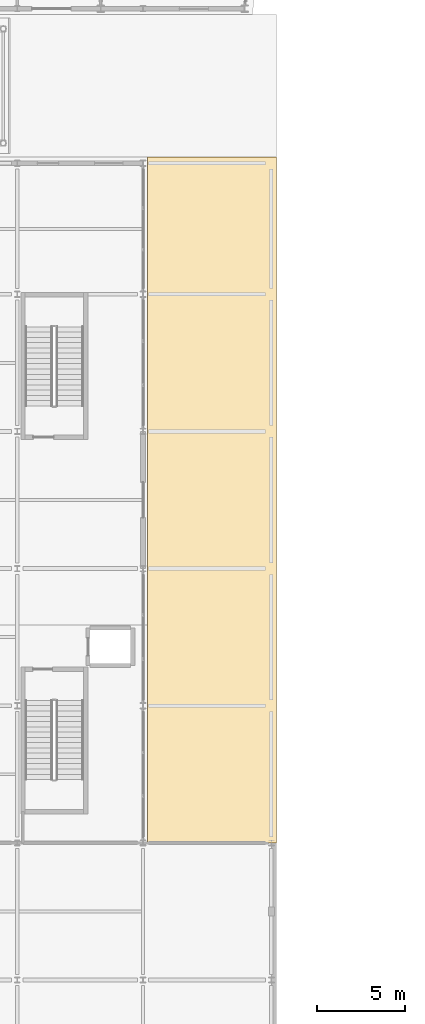
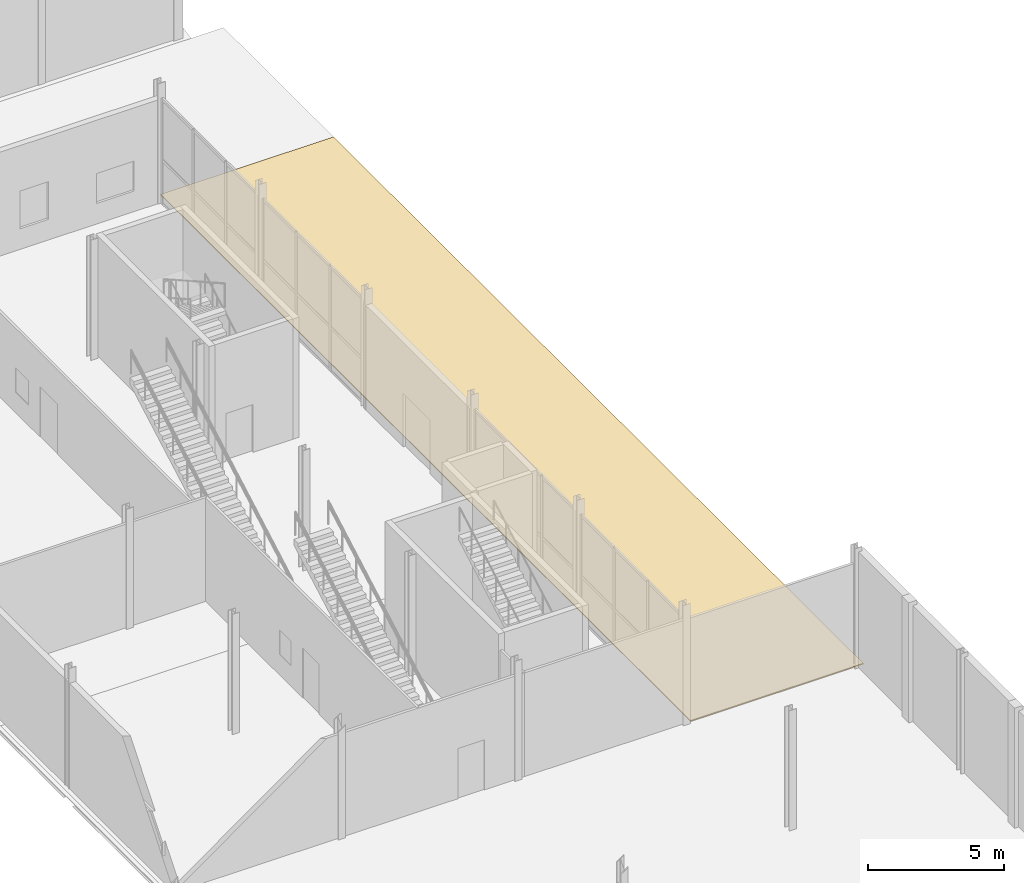
# One storey, part 76 of 83: 1 covering.
"""IFC4 building model written with IfcOpenShell, lengths in metres."""

from ifc_helpers import new_model, si_unit, direction, frame, origin, place, context, subcontext, project, spatial, polyline, outline, extrude, material, layer, layer_set, type_object, element, save


model = new_model("IFC4")

# Units and contexts
model_context = context("Model", 3, precision=1e-05, world=origin(), true_north=direction((0.0, 1.0)))
body_context = subcontext(model_context, "Body", "Model", "MODEL_VIEW")
ifc_project = project(units=[si_unit("LENGTHUNIT", "METRE"), si_unit("AREAUNIT", "SQUARE_METRE"), si_unit("VOLUMEUNIT", "CUBIC_METRE"), si_unit("PLANEANGLEUNIT", "RADIAN"), si_unit("MASSUNIT", "GRAM", prefix="KILO")], contexts=[model_context])

# Site, building, storey
site_placement = place(None, origin())
site = spatial("IfcSite", under=ifc_project, at=site_placement, CompositionType="ELEMENT")
building_placement = place(site_placement, origin())
building = spatial("IfcBuilding", under=site, at=building_placement, Name="Quillay Park Conservatory", CompositionType="ELEMENT")
storey_placement = place(building_placement, origin())
storey = spatial("IfcBuildingStorey", under=building, at=storey_placement, Name="L00", CompositionType="ELEMENT", Elevation=0.0)

# Covering
ifc_material = material(Name="Concrete C35/45 (NCh170 Concrete C35/45)", Category="concrete")
ifc_layer = layer(ifc_material, 0.0400390625)
ifc_layer_set = layer_set([ifc_layer], Name="FORECOURT GRANITE PAVING 40 (Concrete C35/45 (NCh170 Concrete C35/45))")
covering_type = type_object("IfcCoveringType", Name="FORECOURT GRANITE PAVING 40", PredefinedType="FLOORING", material=ifc_layer_set)
covering_placement = place(storey_placement, frame((0.0, 0.0, -0.0400390625)))
element("IfcCovering", 1, at=covering_placement, inside=storey, type_object=covering_type, Name="L00 Visitor Reading Court Paving Slab", PredefinedType="FLOORING", context=body_context, shape_type="SweptSolid", body=[
    extrude(outline(polyline([(22.39990234375, 15.60009765625), (29.75, 15.60009765625), (29.75, 54.60009765625), (22.39990234375, 54.60009765625), (22.39990234375, 15.60009765625)])), origin(), (0.0, 0.0, 1.0), 0.0400390625),
])

save(model, "model.ifc")
